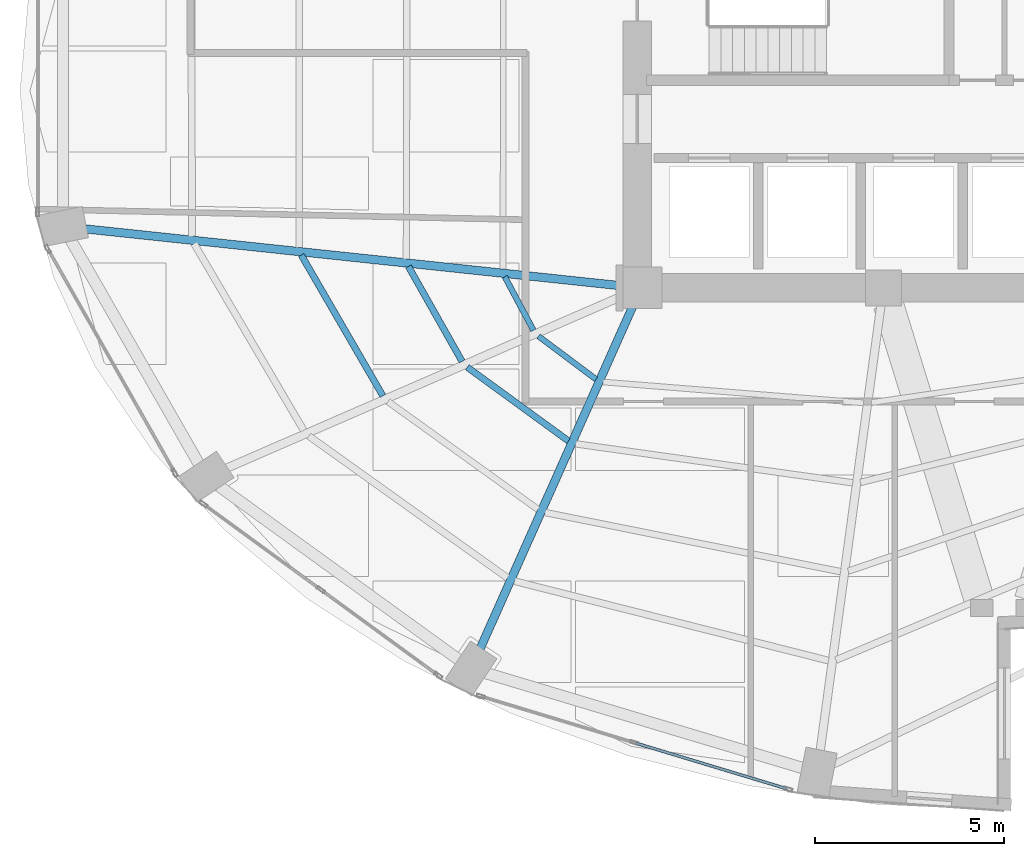
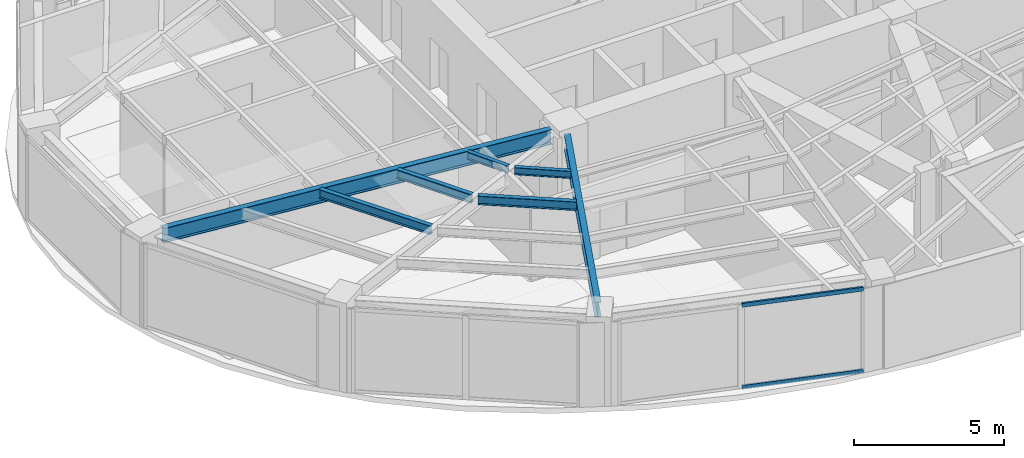
# One storey, part 4 of 23: 7 beams, 2 members, 1 element without a shape of its own.
"""IFC4 building model written with IfcOpenShell, lengths in metres."""

import ifcopenshell
import ifcopenshell.guid

model = None  # the IFC model being written
_history = None  # IfcOwnerHistory: only IFC2X3 demands one
_inside = {}  # id of a spatial element -> (the spatial element, [elements in it])
_under = {}  # id of a project, library or spatial element -> (it, [spatial elements below it])
_declared = {}  # id of a project -> (the project, [libraries it declares])
_typed = {}  # id of a type object -> (the type object, [elements of that type])
_made_of = {}  # id of a material, layer set ... -> (it, [elements and type objects made of it])


def new_model(schema):
    """Start an empty IFC model of exactly this schema.

    Asked for "IFC4X3", IfcOpenShell would pick the latest addendum, in which some entities
    have other attributes; the version numbers below select the first issue.
    IFC2X3 requires an IfcOwnerHistory on every rooted entity: one is made here for all.
    """
    global model, _history
    if schema == "IFC4X3":
        model = ifcopenshell.file(schema_version=(4, 3, 0, 0))
    else:
        model = ifcopenshell.file(schema=schema)
    _inside.clear()
    _under.clear()
    _declared.clear()
    _typed.clear()
    _made_of.clear()
    _history = None
    if model.schema == "IFC2X3":
        org = make("IfcOrganization", Name="unknown")
        user = make(
            "IfcPersonAndOrganization",
            ThePerson=make("IfcPerson", FamilyName="unknown"),
            TheOrganization=org,
        )
        app = make(
            "IfcApplication",
            ApplicationDeveloper=org,
            Version="unknown",
            ApplicationFullName="unknown",
            ApplicationIdentifier="unknown",
        )
        _history = make(
            "IfcOwnerHistory",
            OwningUser=user,
            OwningApplication=app,
            ChangeAction="ADDED",
            CreationDate=0,
        )
    return model


def make(cls, **values):
    """One entity of the class cls with the attributes given. An attribute that is None is left unset."""
    return model.create_entity(
        cls, **{name: value for name, value in values.items() if value is not None}
    )


def rooted(cls, **values):
    """An entity with a GlobalId (a new one), such as an element, a storey or a relation."""
    return make(cls, GlobalId=ifcopenshell.guid.new(), OwnerHistory=_history, **values)


def si_unit(unit_type, name, prefix=None):
    """IfcSIUnit, for example si_unit("LENGTHUNIT", "METRE", prefix="MILLI")."""
    return make("IfcSIUnit", UnitType=unit_type, Prefix=prefix, Name=name)


def assignment(units):
    """IfcUnitAssignment: the units of a project."""
    return None if units is None else make("IfcUnitAssignment", Units=units)


def point(xyz):
    """IfcCartesianPoint."""
    return None if xyz is None else make("IfcCartesianPoint", Coordinates=xyz)


def direction(xyz):
    """IfcDirection."""
    return None if xyz is None else make("IfcDirection", DirectionRatios=xyz)


def frame(location, z_axis=None, x_axis=None):
    """IfcAxis2Placement3D, a coordinate frame: its origin and axes. An axis left out is left unset."""
    return make(
        "IfcAxis2Placement3D",
        Location=point(location),
        Axis=direction(z_axis),
        RefDirection=direction(x_axis),
    )


def frame_2d(location, x_axis=None):
    """IfcAxis2Placement2D, a coordinate frame in the plane: its origin and x axis."""
    return make(
        "IfcAxis2Placement2D", Location=point(location), RefDirection=direction(x_axis)
    )


def origin():
    """The frame at (0, 0, 0) with its axes left unset."""
    return frame((0.0, 0.0, 0.0))


def origin_2d():
    """The frame at (0, 0) in the plane with its x axis left unset."""
    return frame_2d((0.0, 0.0))


def place(relative_to, where):
    """IfcLocalPlacement: puts the frame where relative to a parent placement (None: the world)."""
    return make(
        "IfcLocalPlacement", PlacementRelTo=relative_to, RelativePlacement=where
    )


def context(
    kind, dimensions, precision=None, world=None, true_north=None, identifier=None
):
    """IfcGeometricRepresentationContext, for example the 3D "Model" context."""
    return make(
        "IfcGeometricRepresentationContext",
        ContextIdentifier=identifier,
        ContextType=kind,
        CoordinateSpaceDimension=dimensions,
        Precision=precision,
        WorldCoordinateSystem=world,
        TrueNorth=true_north,
    )


def subcontext(parent, identifier, kind, view, scale=None):
    """IfcGeometricRepresentationSubContext, for example "Body" below "Model"."""
    return make(
        "IfcGeometricRepresentationSubContext",
        ContextIdentifier=identifier,
        ContextType=kind,
        ParentContext=parent,
        TargetScale=scale,
        TargetView=view,
    )


def project(units=None, contexts=None):
    """IfcProject with its units and contexts."""
    return rooted(
        "IfcProject",
        Name="project",
        RepresentationContexts=contexts,
        UnitsInContext=assignment(units),
    )


def spatial(cls, under=None, at=None, **own):
    """A site, building, storey or space (cls), placed at a placement, below another one or the project."""
    s = rooted(cls, ObjectPlacement=at, **own)
    if under is not None:
        _under.setdefault(under.id(), (under, []))[1].append(s)
    return s


def profile(cls, at=None, kind="AREA", **sizes):
    """A parametric profile (cls). Its sizes go by their IFC names, for example OverallWidth=200.0."""
    return make(cls, ProfileType=kind, Position=at, **sizes)


def hollow_rectangle(**sizes):
    """IfcRectangleHollowProfileDef."""
    return profile("IfcRectangleHollowProfileDef", **sizes)


def i_section(**sizes):
    """IfcIShapeProfileDef."""
    return profile("IfcIShapeProfileDef", **sizes)


def extrude(swept, where, along, depth):
    """IfcExtrudedAreaSolid: the profile swept, set in the frame where, extruded along a direction by depth."""
    return make(
        "IfcExtrudedAreaSolid",
        SweptArea=swept,
        Position=where,
        ExtrudedDirection=direction(along),
        Depth=depth,
    )


def shape(context_of_items, identifier, shape_type, items):
    """IfcShapeRepresentation: the items that make up one representation, for example the "Body"."""
    return make(
        "IfcShapeRepresentation",
        ContextOfItems=context_of_items,
        RepresentationIdentifier=identifier,
        RepresentationType=shape_type,
        Items=items,
    )


def material(Name=None, Category=None):
    """IfcMaterial."""
    return make("IfcMaterial", Name=Name, Category=Category)


def layer(
    of_material, thickness, ventilated=None, Name=None, Category=None, Priority=None
):
    """IfcMaterialLayer: one layer of a wall or slab, of a material (None: an air gap)."""
    return make(
        "IfcMaterialLayer",
        Material=of_material,
        LayerThickness=thickness,
        IsVentilated=ventilated,
        Name=Name,
        Category=Category,
        Priority=Priority,
    )


def layer_set(layers, Name=None):
    """IfcMaterialLayerSet."""
    return make("IfcMaterialLayerSet", MaterialLayers=layers, LayerSetName=Name)


def material_profile(
    of_material, cross_section, Name=None, Category=None, Priority=None
):
    """IfcMaterialProfile: a cross section and its material."""
    return make(
        "IfcMaterialProfile",
        Name=Name,
        Material=of_material,
        Profile=cross_section,
        Priority=Priority,
        Category=Category,
    )


def profile_set(profiles, Name=None, composite=None):
    """IfcMaterialProfileSet."""
    return make(
        "IfcMaterialProfileSet",
        Name=Name,
        MaterialProfiles=profiles,
        CompositeProfile=composite,
    )


def made_of(thing, what):
    """Note that an element or type object is made of a material, layer set ...; save() writes the relation."""
    if what is not None:
        _made_of.setdefault(what.id(), (what, []))[1].append(thing)
    return thing


def type_object(cls, material=None, **own):
    """A type object (cls), such as IfcWallType, which elements share."""
    return made_of(rooted(cls, **own), material)


def element(
    cls,
    number,
    at=None,
    inside=None,
    cuts=None,
    type_object=None,
    material=None,
    context=None,
    identifier="Body",
    shape_type=None,
    held_by="IfcProductDefinitionShape",
    body=None,
    shapes=None,
    **own,
):
    """One element of the class cls, such as IfcWall. Its Tag is "e" and its number.

    at: its placement. inside: the storey or other place that contains it. cuts: it is an
    opening in that element (IfcRelVoidsElement). A single representation is given by context,
    identifier, shape_type and body (its items); several are given by shapes. held_by: the class
    of the entity that holds the representations. save() writes the other relations.
    """
    e = rooted(cls, Tag="e%d" % number, ObjectPlacement=at, **own)
    if body is not None:
        shapes = [shape(context, identifier, shape_type, body)]
    if shapes is not None:
        e.Representation = make(held_by, Representations=shapes)
    if inside is not None:
        _inside.setdefault(inside.id(), (inside, []))[1].append(e)
    if cuts is not None:
        rooted(
            "IfcRelVoidsElement", RelatingBuildingElement=cuts, RelatedOpeningElement=e
        )
    if type_object is not None:
        _typed.setdefault(type_object.id(), (type_object, []))[1].append(e)
    return made_of(e, material)


def aggregate(whole, parts):
    """IfcRelAggregates: a whole, such as a stair, and the parts it consists of."""
    return rooted("IfcRelAggregates", RelatingObject=whole, RelatedObjects=parts)


def save(model, path):
    """Write the relations noted so far, then the file.

    IfcRelAggregates (storeys below a building ...), IfcRelContainedInSpatialStructure (elements
    in a storey), IfcRelDefinesByType, IfcRelAssociatesMaterial and IfcRelDeclares: one each for
    every whole, place, type object, material and project.
    """
    for whole, parts in _under.values():
        aggregate(whole, parts)
    for where, things in _inside.values():
        rooted(
            "IfcRelContainedInSpatialStructure",
            RelatedElements=things,
            RelatingStructure=where,
        )
    for kind, things in _typed.values():
        rooted("IfcRelDefinesByType", RelatedObjects=things, RelatingType=kind)
    for what, things in _made_of.values():
        rooted("IfcRelAssociatesMaterial", RelatedObjects=things, RelatingMaterial=what)
    for by, libraries in _declared.values():
        rooted("IfcRelDeclares", RelatingContext=by, RelatedDefinitions=libraries)
    model.write(path)


model = new_model("IFC4")

# Units and contexts
model_context = context("Model", 3, precision=1e-05, world=origin(), true_north=direction((0.0, 1.0)))
body_context = subcontext(model_context, "Body", "Model", "MODEL_VIEW")
ifc_project = project(units=[si_unit("LENGTHUNIT", "METRE"), si_unit("AREAUNIT", "SQUARE_METRE"), si_unit("VOLUMEUNIT", "CUBIC_METRE"), si_unit("PLANEANGLEUNIT", "RADIAN"), si_unit("MASSUNIT", "GRAM", prefix="KILO")], contexts=[model_context])

# Site, building, storey
site_placement = place(None, origin())
site = spatial("IfcSite", under=ifc_project, at=site_placement, CompositionType="ELEMENT")
building_placement = place(site_placement, origin())
building = spatial("IfcBuilding", under=site, at=building_placement, Name="Lazwardi Medical Tower", CompositionType="ELEMENT")
storey_placement = place(building_placement, frame((0.0, 0.0, 89.0400390625)))
storey = spatial("IfcBuildingStorey", under=building, at=storey_placement, Name="L22", CompositionType="ELEMENT", Elevation=89.0400390625)

# Beams
ifc_material_1 = material(Name="Steel S355", Category="steel")
ifc_material_profile_1 = material_profile(ifc_material_1, i_section(OverallWidth=0.219970703125, OverallDepth=0.60009765625, WebThickness=0.011962890625, FlangeThickness=0.01904296875, at=origin_2d()), Name="IPE 600")
ifc_profile_set_1 = profile_set([ifc_material_profile_1], Name="Steel S355")
beam_type_1 = type_object("IfcBeamType", Name="BM-RG-W1", PredefinedType="BEAM", material=ifc_profile_set_1)
beam_1_placement = place(storey_placement, frame((11.7138671875, 21.958984375, 3.1279296875), z_axis=(0.994413340753, -0.10555618282, 0.0), x_axis=(0.10555618282, 0.994413340753, 0.0)))
element("IfcBeam", 1, at=beam_1_placement, inside=storey, type_object=beam_type_1, Name="Radial girder RG-02 R13 L22", PredefinedType="BEAM", context=body_context, shape_type="SweptSolid", body=[
    extrude(i_section(OverallWidth=0.219970703125, OverallDepth=0.60009765625, WebThickness=0.011962890625, FlangeThickness=0.01904296875, at=origin_2d()), origin(), (0.0, 0.0, 1.0), 14.233642578125),
])
beam_2_placement = place(storey_placement, frame((22.152587890625, 10.872314453125, 3.1279296875), z_axis=(0.407165924957, 0.913354208155, 0.0), x_axis=(-0.913354208155, 0.407165924957, 0.0)))
element("IfcBeam", 2, at=beam_2_placement, inside=storey, type_object=beam_type_1, Name="Radial girder RG-02 R15 L22", PredefinedType="BEAM", context=body_context, shape_type="SweptSolid", body=[
    extrude(i_section(OverallWidth=0.219970703125, OverallDepth=0.60009765625, WebThickness=0.011962890625, FlangeThickness=0.01904296875, at=origin_2d()), origin(), (0.0, 0.0, 1.0), 9.896484375),
])
ifc_material_profile_2 = material_profile(ifc_material_1, i_section(OverallWidth=0.169921875, OverallDepth=0.360107421875, WebThickness=0.008056640625, FlangeThickness=0.0126953125, at=origin_2d()), Name="IPE 360")
ifc_profile_set_2 = profile_set([ifc_material_profile_2], Name="Steel S355")
beam_type_2 = type_object("IfcBeamType", Name="BM-SJ-02", PredefinedType="JOIST", material=ifc_profile_set_2)
beam_3_placement = place(storey_placement, frame((17.42822265625, 21.26708984375, 3.248046875), z_axis=(0.501365325212, -0.865235696602, 0.0), x_axis=(0.865235696602, 0.501365325212, 0.0)))
element("IfcBeam", 3, at=beam_3_placement, inside=storey, type_object=beam_type_2, Name="Secondary joist SJ-02 R2 B13 L22", PredefinedType="JOIST", context=body_context, shape_type="SweptSolid", body=[
    extrude(i_section(OverallWidth=0.169921875, OverallDepth=0.360107421875, WebThickness=0.008056640625, FlangeThickness=0.0126953125, at=origin_2d()), origin(), (0.0, 0.0, 1.0), 4.298828125),
])
beam_4_placement = place(storey_placement, frame((20.258056640625, 20.966064453125, 3.248046875), z_axis=(0.492026539517, -0.870580199873, 0.0), x_axis=(0.870580199873, 0.492026539517, 0.0)))
element("IfcBeam", 4, at=beam_4_placement, inside=storey, type_object=beam_type_2, Name="Secondary joist SJ-02 R3 B13 L22", PredefinedType="JOIST", context=body_context, shape_type="SweptSolid", body=[
    extrude(i_section(OverallWidth=0.169921875, OverallDepth=0.360107421875, WebThickness=0.008056640625, FlangeThickness=0.0126953125, at=origin_2d()), origin(), (0.0, 0.0, 1.0), 2.880859375),
])
beam_5_placement = place(storey_placement, frame((21.81201171875, 18.3046875, 3.248046875), z_axis=(0.808301737247, -0.588768461761, 0.0), x_axis=(0.588768461761, 0.808301737247, 0.0)))
element("IfcBeam", 5, at=beam_5_placement, inside=storey, type_object=beam_type_2, Name="Secondary joist SJ-02 R3 B14 L22", PredefinedType="JOIST", context=body_context, shape_type="SweptSolid", body=[
    extrude(i_section(OverallWidth=0.169921875, OverallDepth=0.360107421875, WebThickness=0.008056640625, FlangeThickness=0.0126953125, at=origin_2d()), origin(), (0.0, 0.0, 1.0), 3.307373046875),
])
ifc_material_profile_3 = material_profile(ifc_material_1, i_section(OverallWidth=0.14990234375, OverallDepth=0.300048828125, WebThickness=0.007080078125, FlangeThickness=0.0107421875, at=origin_2d()), Name="IPE 300")
ifc_profile_set_3 = profile_set([ifc_material_profile_3], Name="Steel S355")
beam_type_3 = type_object("IfcBeamType", Name="BM-SJ-03", PredefinedType="JOIST", material=ifc_profile_set_3)
beam_6_placement = place(storey_placement, frame((22.8037109375, 20.6943359375, 3.278076171875), z_axis=(0.471022344925, -0.882121278839, 0.0), x_axis=(0.882121278839, 0.471022344925, 0.0)))
element("IfcBeam", 6, at=beam_6_placement, inside=storey, type_object=beam_type_3, Name="Secondary joist SJ-03 R4 B13 L22", PredefinedType="JOIST", context=body_context, shape_type="SweptSolid", body=[
    extrude(i_section(OverallWidth=0.14990234375, OverallDepth=0.300048828125, WebThickness=0.007080078125, FlangeThickness=0.0107421875, at=origin_2d()), origin(), (0.0, 0.0, 1.0), 1.605224609375),
])
beam_7_placement = place(storey_placement, frame((23.693359375, 19.12255859375, 3.278076171875), z_axis=(0.800447687995, -0.599402618265, 0.0), x_axis=(0.599402618265, 0.800447687995, 0.0)))
element("IfcBeam", 7, at=beam_7_placement, inside=storey, type_object=beam_type_3, Name="Secondary joist SJ-03 R4 B14 L22", PredefinedType="JOIST", context=body_context, shape_type="SweptSolid", body=[
    extrude(i_section(OverallWidth=0.14990234375, OverallDepth=0.300048828125, WebThickness=0.007080078125, FlangeThickness=0.0107421875, at=origin_2d()), origin(), (0.0, 0.0, 1.0), 1.896728515625),
])

# Curtain wall, members
ifc_material_2 = material(Name="Anodised bronze aluminium and solar control glazing", Category="aluminium")
ifc_layer = layer(ifc_material_2, 0.195068359375)
ifc_layer_set = layer_set([ifc_layer], Name="Anodised bronze aluminium and solar control glazing")
curtain_wall_type = type_object("IfcCurtainWallType", Name="CW-SYS-03", PredefinedType="NOTDEFINED", material=ifc_layer_set)
curtain_wall_placement = place(storey_placement, origin())
curtain_wall = element("IfcCurtainWall", 8, at=curtain_wall_placement, inside=storey, type_object=curtain_wall_type, Name="L22 Unitised bronze curtain wall CW-03", PredefinedType="NOTDEFINED")
ifc_material_3 = material(Name="Anodised bronze aluminium", Category="aluminium")
ifc_material_profile_4 = material_profile(ifc_material_3, hollow_rectangle(XDim=0.074951171875, YDim=0.159912109375, WallThickness=0.00390625, at=origin_2d()), Name="ALU-TRANSOM 160x75x4")
ifc_profile_set_4 = profile_set([ifc_material_profile_4], Name="Anodised bronze aluminium")
member_type = type_object("IfcMemberType", Name="CW-TRN-01", PredefinedType="USERDEFINED", material=ifc_profile_set_4)
member_1_placement = place(storey_placement, frame((26.2666015625, 8.3759765625, 0.037353515625), z_axis=(0.957220865985, -0.289358279168, 0.0), x_axis=(0.289358279168, 0.957220865985, 0.0)))
member_1 = element("IfcMember", 9, at=member_1_placement, type_object=member_type, Name="CW-03 transom 2.1", ObjectType="TRANSOM", PredefinedType="USERDEFINED", context=body_context, shape_type="SweptSolid", body=[
    extrude(hollow_rectangle(XDim=0.074951171875, YDim=0.159912109375, WallThickness=0.00390625, at=origin_2d()), origin(), (0.0, 0.0, 1.0), 4.16552734375),
])
member_2_placement = place(storey_placement, frame((26.2666015625, 8.3759765625, 3.390380859375), z_axis=(0.957220865985, -0.289358279168, 0.0), x_axis=(0.289358279168, 0.957220865985, 0.0)))
member_2 = element("IfcMember", 10, at=member_2_placement, type_object=member_type, Name="CW-03 transom 2.2", ObjectType="TRANSOM", PredefinedType="USERDEFINED", context=body_context, shape_type="SweptSolid", body=[
    extrude(hollow_rectangle(XDim=0.074951171875, YDim=0.159912109375, WallThickness=0.00390625, at=origin_2d()), origin(), (0.0, 0.0, 1.0), 4.16552734375),
])
aggregate(curtain_wall, [member_1, member_2])

save(model, "model.ifc")
